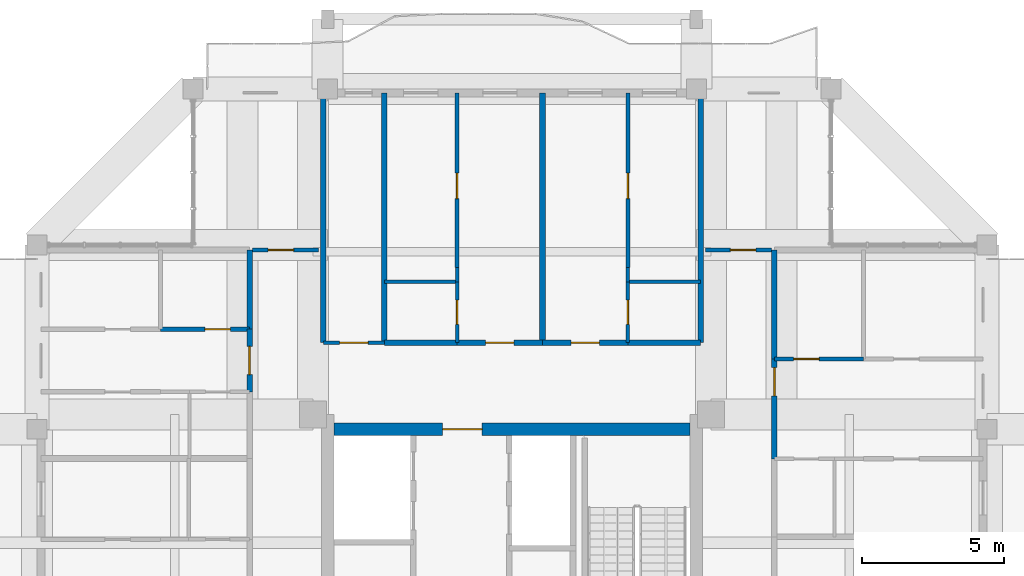
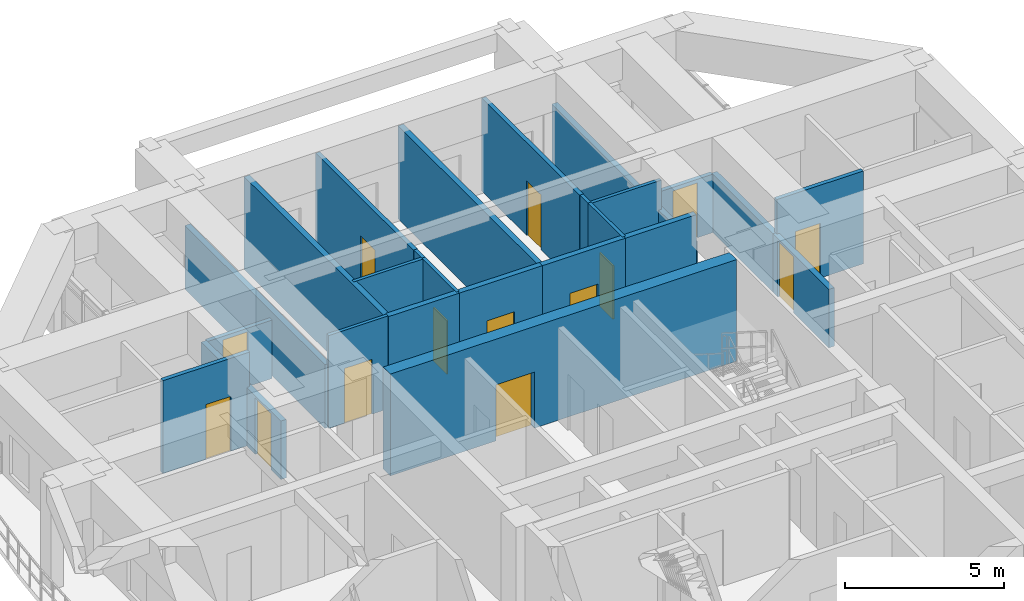
# One storey, part 20 of 27: 26 walls, 14 doors, 14 openings.
"""IFC4 building model written with IfcOpenShell, lengths in metres."""

from ifc_helpers import new_model, si_unit, direction, frame, frame_2d, origin, place, context, subcontext, project, spatial, rectangle, extrude, source, transform, mapped, material, layer, layer_set, type_object, element, fill, save


model = new_model("IFC4")

# Units and contexts
model_context = context("Model", 3, precision=1e-05, world=origin(), true_north=direction((0.0, 1.0)))
body_context = subcontext(model_context, "Body", "Model", "MODEL_VIEW")
ifc_project = project(units=[si_unit("LENGTHUNIT", "METRE"), si_unit("AREAUNIT", "SQUARE_METRE"), si_unit("VOLUMEUNIT", "CUBIC_METRE"), si_unit("PLANEANGLEUNIT", "RADIAN"), si_unit("MASSUNIT", "GRAM", prefix="KILO")], contexts=[model_context])

# Site, building, storey
site_placement = place(None, origin())
site = spatial("IfcSite", under=ifc_project, at=site_placement, CompositionType="ELEMENT")
building_placement = place(site_placement, origin())
building = spatial("IfcBuilding", under=site, at=building_placement, Name="Saelheon Loggia Tower", CompositionType="ELEMENT")
storey_placement = place(building_placement, frame((0.0, 0.0, 236.10009765625)))
storey = spatial("IfcBuildingStorey", under=building, at=storey_placement, Name="L73", CompositionType="ELEMENT", Elevation=236.10009765625)

# Wall, opening, door
ifc_material_1 = material(Name="Concrete C45/55", Category="concrete")
ifc_layer_1 = layer(ifc_material_1, 0.449951171875)
ifc_layer_set_1 = layer_set([ifc_layer_1], Name="Concrete C45/55")
wall_type_1 = type_object("IfcWallType", Name="Wall_CoreShear_450", PredefinedType="SHEAR", material=ifc_layer_set_1)
wall_1_placement = place(storey_placement, frame((31.72509765625, 36.0, 0.0), z_axis=(0.0, 0.0, 1.0), x_axis=(1.0, 0.0, 0.0)))
wall_1 = element("IfcWall", 1, at=wall_1_placement, inside=storey, type_object=wall_type_1, Name="L73 Core Shear Wall North", PredefinedType="SHEAR", context=body_context, shape_type="SweptSolid", body=[
    extrude(rectangle(XDim=12.5498046875, YDim=0.449951171875, at=frame_2d((6.27490234375, 0.0))), origin(), (0.0, 0.0, 1.0), 3.89990234375),
])
opening_1_placement = place(wall_1_placement, frame((5.224853515625, 0.0, 0.0), z_axis=(0.0, 0.0, 1.0), x_axis=(-1.0, 0.0, 0.0)))
opening_1 = element("IfcOpeningElement", 2, at=opening_1_placement, cuts=wall_1, Name="Opening D-FD2L", PredefinedType="OPENING", context=body_context, shape_type="SweptSolid", body=[
    extrude(rectangle(XDim=1.39990234375, YDim=2.14990234375, at=frame_2d((0.699951171875, 1.074951171875))), frame((0.0, 0.237060546875, 0.0), z_axis=(0.0, -1.0, 0.0), x_axis=(1.0, 0.0, 0.0)), (0.0, 0.0, 1.0), 0.473876953125),
])
ifc_material_2 = material(Name="Galvanised Steel Glazed Lobby Fire Door", Category="steel")
door_type_1 = type_object("IfcDoorType", Name="Door_Fire_FD60_1400", OperationType="NOTDEFINED", PredefinedType="DOOR", material=ifc_material_2)
shared_shape_1 = source(origin(), body_context, "Body", "SweptSolid", [
    extrude(rectangle(XDim=1.39990234375, YDim=2.14990234375, at=frame_2d((0.699951171875, 1.074951171875))), frame((0.0, 0.02490234375, 0.0), z_axis=(0.0, -1.0, 0.0), x_axis=(1.0, 0.0, 0.0)), (0.0, 0.0, 1.0), 0.050048828125),
])
door_1_placement = place(opening_1_placement, origin())
door_1 = element("IfcDoor", 3, at=door_1_placement, inside=storey, type_object=door_type_1, Name="L73 Passenger Lift Lobby Main Door", OperationType="SINGLE_SWING_RIGHT", OverallHeight=2.14990234375, OverallWidth=1.39990234375, PredefinedType="DOOR", context=body_context, shape_type="MappedRepresentation", body=[
    mapped(shared_shape_1, transform((0.0, 0.0, 0.0), scale=1.0)),
])
fill(opening_1, door_1)

ifc_material_3 = material(Name="Lightweight Autoclaved Aerated Concrete Block and Acoustic Gypsum", Category="concrete")
ifc_layer_2 = layer(ifc_material_3, 0.14990234375)
ifc_layer_set_2 = layer_set([ifc_layer_2], Name="Lightweight Autoclaved Aerated Concrete Block and Acoustic Gypsum")
wall_type_2 = type_object("IfcWallType", Name="Wall_Part_150", PredefinedType="PARTITIONING", material=ifc_layer_set_2)
wall_2_placement = place(storey_placement, frame((28.85009765625, 42.320068359375, 0.0), z_axis=(0.0, 0.0, 1.0), x_axis=(1.0, 0.0, 0.0)))
wall_2 = element("IfcWall", 4, at=wall_2_placement, inside=storey, type_object=wall_type_2, Name="PW-L73-CNW-H", PredefinedType="PARTITIONING", context=body_context, shape_type="SweptSolid", body=[
    extrude(rectangle(XDim=2.329833984375, YDim=0.14990234375, at=frame_2d((1.1650390625, 0.0))), origin(), (0.0, 0.0, 1.0), 2.239990234375),
])
opening_2_placement = place(wall_2_placement, frame((0.550048828125, 0.0, 0.0)))
opening_2 = element("IfcOpeningElement", 5, at=opening_2_placement, cuts=wall_2, Name="Opening D-IN2", PredefinedType="OPENING", context=body_context, shape_type="SweptSolid", body=[
    extrude(rectangle(XDim=0.89990234375, YDim=2.10009765625, at=frame_2d((0.449951171875, 1.050048828125))), frame((0.0, 0.0869140625, 0.0), z_axis=(0.0, -1.0, 0.0), x_axis=(1.0, 0.0, 0.0)), (0.0, 0.0, 1.0), 0.173828125),
])
ifc_material_4 = material(Name="Engineered Oak Flush Door", Category="timber")
door_type_2 = type_object("IfcDoorType", Name="Door_Int_900", OperationType="NOTDEFINED", PredefinedType="DOOR", material=ifc_material_4)
shared_shape_2 = source(origin(), body_context, "Body", "SweptSolid", [
    extrude(rectangle(XDim=0.89990234375, YDim=2.10009765625, at=frame_2d((0.449951171875, 1.050048828125))), frame((0.0, 0.02490234375, 0.0), z_axis=(0.0, -1.0, 0.0), x_axis=(1.0, 0.0, 0.0)), (0.0, 0.0, 1.0), 0.050048828125),
])
door_2_placement = place(opening_2_placement, origin())
door_2 = element("IfcDoor", 6, at=door_2_placement, inside=storey, type_object=door_type_2, Name="L73 Corner Home Office NW Door", OperationType="SINGLE_SWING_RIGHT", OverallHeight=2.10009765625, OverallWidth=0.89990234375, PredefinedType="DOOR", context=body_context, shape_type="MappedRepresentation", body=[
    mapped(shared_shape_2, transform((0.0, 0.0, 0.0), scale=1.0)),
])
fill(opening_2, door_2)

wall_3_placement = place(storey_placement, frame((44.820068359375, 42.320068359375, 0.0), z_axis=(0.0, 0.0, 1.0), x_axis=(1.0, 0.0, 0.0)))
wall_3 = element("IfcWall", 7, at=wall_3_placement, inside=storey, type_object=wall_type_2, Name="PW-L73-CNE-H", PredefinedType="PARTITIONING", context=body_context, shape_type="SweptSolid", body=[
    extrude(rectangle(XDim=2.329833984375, YDim=0.14990234375, at=frame_2d((1.1650390625, 0.0))), origin(), (0.0, 0.0, 1.0), 2.239990234375),
])
opening_3_placement = place(wall_3_placement, frame((0.8798828125, 0.0, 0.0)))
opening_3 = element("IfcOpeningElement", 8, at=opening_3_placement, cuts=wall_3, Name="Opening D-IN2", PredefinedType="OPENING", context=body_context, shape_type="SweptSolid", body=[
    extrude(rectangle(XDim=0.89990234375, YDim=2.10009765625, at=frame_2d((0.449951171875, 1.050048828125))), frame((0.0, 0.0869140625, 0.0), z_axis=(0.0, -1.0, 0.0), x_axis=(1.0, 0.0, 0.0)), (0.0, 0.0, 1.0), 0.173828125),
])
door_3_placement = place(opening_3_placement, origin())
door_3 = element("IfcDoor", 9, at=door_3_placement, inside=storey, type_object=door_type_2, Name="L73 Corner Reading Room NE Door", OperationType="SINGLE_SWING_RIGHT", OverallHeight=2.10009765625, OverallWidth=0.89990234375, PredefinedType="DOOR", context=body_context, shape_type="MappedRepresentation", body=[
    mapped(shared_shape_2, transform((0.0, 0.0, 0.0), scale=1.0)),
])
fill(opening_3, door_3)

wall_4_placement = place(storey_placement, frame((36.064453125, 41.7099609375, 0.0), z_axis=(0.0, 0.0, 1.0), x_axis=(0.0, 1.0, 0.0)))
wall_4 = element("IfcWall", 10, at=wall_4_placement, inside=storey, type_object=wall_type_2, Name="L73 N Partition U10", PredefinedType="PARTITIONING", context=body_context, shape_type="SweptSolid", body=[
    extrude(rectangle(XDim=6.14013671875, YDim=0.14990234375, at=frame_2d((3.070068359375, 0.0))), origin(), (0.0, 0.0, 1.0), 3.559814453125),
])
opening_4_placement = place(wall_4_placement, frame((2.421630859375, 0.0, 0.0)))
opening_4 = element("IfcOpeningElement", 11, at=opening_4_placement, cuts=wall_4, Name="Opening D-IN2", PredefinedType="OPENING", context=body_context, shape_type="SweptSolid", body=[
    extrude(rectangle(XDim=0.89990234375, YDim=2.10009765625, at=frame_2d((0.449951171875, 1.050048828125))), frame((0.0, 0.0869140625, 0.0), z_axis=(0.0, -1.0, 0.0), x_axis=(1.0, 0.0, 0.0)), (0.0, 0.0, 1.0), 0.173828125),
])
door_4_placement = place(opening_4_placement, origin())
door_4 = element("IfcDoor", 12, at=door_4_placement, inside=storey, type_object=door_type_2, Name="Unit U03 Kitchen Door", OperationType="SINGLE_SWING_RIGHT", OverallHeight=2.10009765625, OverallWidth=0.89990234375, PredefinedType="DOOR", context=body_context, shape_type="MappedRepresentation", body=[
    mapped(shared_shape_2, transform((0.0, 0.0, 0.0), scale=1.0)),
])
fill(opening_4, door_4)

wall_5_placement = place(storey_placement, frame((42.08544921875, 41.7099609375, 0.0), z_axis=(0.0, 0.0, 1.0), x_axis=(0.0, 1.0, 0.0)))
wall_5 = element("IfcWall", 13, at=wall_5_placement, inside=storey, type_object=wall_type_2, Name="L73 N Partition U17", PredefinedType="PARTITIONING", context=body_context, shape_type="SweptSolid", body=[
    extrude(rectangle(XDim=6.14013671875, YDim=0.14990234375, at=frame_2d((3.070068359375, 0.0))), origin(), (0.0, 0.0, 1.0), 3.559814453125),
])
opening_5_placement = place(wall_5_placement, frame((2.421630859375, 0.0, 0.0)))
opening_5 = element("IfcOpeningElement", 14, at=opening_5_placement, cuts=wall_5, Name="Opening D-IN2", PredefinedType="OPENING", context=body_context, shape_type="SweptSolid", body=[
    extrude(rectangle(XDim=0.89990234375, YDim=2.10009765625, at=frame_2d((0.449951171875, 1.050048828125))), frame((0.0, 0.0869140625, 0.0), z_axis=(0.0, -1.0, 0.0), x_axis=(1.0, 0.0, 0.0)), (0.0, 0.0, 1.0), 0.173828125),
])
door_5_placement = place(opening_5_placement, origin())
door_5 = element("IfcDoor", 15, at=door_5_placement, inside=storey, type_object=door_type_2, Name="Unit U04 Kitchen Door", OperationType="SINGLE_SWING_LEFT", OverallHeight=2.10009765625, OverallWidth=0.89990234375, PredefinedType="DOOR", context=body_context, shape_type="MappedRepresentation", body=[
    mapped(shared_shape_2, transform((0.0, 0.0, 0.0), scale=1.0)),
])
fill(opening_5, door_5)

wall_6_placement = place(storey_placement, frame((28.75, 39.525634765625, 0.0), z_axis=(0.0, 0.0, 1.0), x_axis=(-1.0, 0.0, 0.0)))
wall_6 = element("IfcWall", 16, at=wall_6_placement, inside=storey, type_object=wall_type_2, Name="L73 W Partition U40", PredefinedType="PARTITIONING", context=body_context, shape_type="SweptSolid", body=[
    extrude(rectangle(XDim=3.139892578125, YDim=0.14990234375, at=frame_2d((1.56982421875, 0.0))), origin(), (0.0, 0.0, 1.0), 3.559814453125),
])
opening_6_placement = place(wall_6_placement, frame((0.679931640625, 0.0, 0.0)))
opening_6 = element("IfcOpeningElement", 17, at=opening_6_placement, cuts=wall_6, Name="Opening D-IN2", PredefinedType="OPENING", context=body_context, shape_type="SweptSolid", body=[
    extrude(rectangle(XDim=0.89990234375, YDim=2.10009765625, at=frame_2d((0.449951171875, 1.050048828125))), frame((0.0, 0.0869140625, 0.0), z_axis=(0.0, -1.0, 0.0), x_axis=(1.0, 0.0, 0.0)), (0.0, 0.0, 1.0), 0.173828125),
])
door_6_placement = place(opening_6_placement, origin())
door_6 = element("IfcDoor", 18, at=door_6_placement, inside=storey, type_object=door_type_2, Name="Unit U08 Dressing Closet Door", OperationType="SINGLE_SWING_RIGHT", OverallHeight=2.10009765625, OverallWidth=0.89990234375, PredefinedType="DOOR", context=body_context, shape_type="MappedRepresentation", body=[
    mapped(shared_shape_2, transform((0.0, 0.0, 0.0), scale=1.0)),
])
fill(opening_6, door_6)

wall_7_placement = place(storey_placement, frame((47.25, 38.477783203125, 0.0), z_axis=(0.0, 0.0, 1.0), x_axis=(1.0, 0.0, 0.0)))
wall_7 = element("IfcWall", 19, at=wall_7_placement, inside=storey, type_object=wall_type_2, Name="L73 E Partition U33", PredefinedType="PARTITIONING", context=body_context, shape_type="SweptSolid", body=[
    extrude(rectangle(XDim=3.139892578125, YDim=0.14990234375, at=frame_2d((1.56982421875, 0.0))), origin(), (0.0, 0.0, 1.0), 3.559814453125),
])
opening_7_placement = place(wall_7_placement, frame((0.679931640625, 0.0, 0.0)))
opening_7 = element("IfcOpeningElement", 20, at=opening_7_placement, cuts=wall_7, Name="Opening D-IN2", PredefinedType="OPENING", context=body_context, shape_type="SweptSolid", body=[
    extrude(rectangle(XDim=0.89990234375, YDim=2.10009765625, at=frame_2d((0.449951171875, 1.050048828125))), frame((0.0, 0.0869140625, 0.0), z_axis=(0.0, -1.0, 0.0), x_axis=(1.0, 0.0, 0.0)), (0.0, 0.0, 1.0), 0.173828125),
])
door_7_placement = place(opening_7_placement, origin())
door_7 = element("IfcDoor", 21, at=door_7_placement, inside=storey, type_object=door_type_2, Name="Unit U11 Private Study Door", OperationType="SINGLE_SWING_LEFT", OverallHeight=2.10009765625, OverallWidth=0.89990234375, PredefinedType="DOOR", context=body_context, shape_type="MappedRepresentation", body=[
    mapped(shared_shape_2, transform((0.0, 0.0, 0.0), scale=1.0)),
])
fill(opening_7, door_7)

# Walls
ifc_material_5 = material(Name="Double Acoustic Stud and Fireboard Partition", Category="gypsum")
ifc_layer_3 = layer(ifc_material_5, 0.199951171875)
ifc_layer_set_3 = layer_set([ifc_layer_3], Name="Double Acoustic Stud and Fireboard Partition")
wall_type_3 = type_object("IfcWallType", Name="Wall_Party_200", PredefinedType="PARTITIONING", material=ifc_layer_set_3)
for number, where, z_axis, x_axis, name in (
    (22, (31.35009765625, 39.050048828125, 0.0), (0.0, 0.0, 1.0), (0.0, 1.0, 0.0), "L73 N Partition U01"),
    (23, (44.64990234375, 39.050048828125, 0.0), (0.0, 0.0, 1.0), (0.0, 1.0, 0.0), "L73 N Partition U02"),
):
    element("IfcWall", number, at=place(storey_placement, frame(where, z_axis=z_axis, x_axis=x_axis)), inside=storey, type_object=wall_type_3, Name=name, PredefinedType="PARTITIONING", context=body_context, shape_type="SweptSolid", body=[
        extrude(rectangle(XDim=8.800048828125, YDim=0.199951171875, at=frame_2d((4.39990234375, 0.0))), origin(), (0.0, 0.0, 1.0), 2.43994140625),
    ])
wall_8_placement = place(storey_placement, frame((33.5, 39.050048828125, 0.0), z_axis=(0.0, 0.0, 1.0), x_axis=(0.0, 1.0, 0.0)))
element("IfcWall", 24, at=wall_8_placement, inside=storey, type_object=wall_type_3, Name="L73 N Partition U03", PredefinedType="PARTITIONING", context=body_context, shape_type="SweptSolid", body=[
    extrude(rectangle(XDim=8.800048828125, YDim=0.199951171875, at=frame_2d((4.39990234375, 0.0))), origin(), (0.0, 0.0, 1.0), 3.559814453125),
])
wall_9_placement = place(storey_placement, frame((33.5, 39.050048828125, 0.0), z_axis=(0.0, 0.0, 1.0), x_axis=(1.0, 0.0, 0.0)))
element("IfcWall", 25, at=wall_9_placement, inside=storey, type_object=wall_type_3, Name="L73 N Partition V05", PredefinedType="PARTITIONING", context=body_context, shape_type="SweptSolid", body=[
    extrude(rectangle(XDim=2.564453125, YDim=0.199951171875, at=frame_2d((1.2822265625, 0.0))), origin(), (0.0, 0.0, 1.0), 3.559814453125),
])

# Wall, opening, door
wall_10_placement = place(storey_placement, frame((36.064453125, 39.050048828125, 0.0), z_axis=(0.0, 0.0, 1.0), x_axis=(1.0, 0.0, 0.0)))
wall_10 = element("IfcWall", 26, at=wall_10_placement, inside=storey, type_object=wall_type_3, Name="L73 N Partition V06", PredefinedType="PARTITIONING", context=body_context, shape_type="SweptSolid", body=[
    extrude(rectangle(XDim=3.010498046875, YDim=0.199951171875, at=frame_2d((1.50537109375, 0.0))), origin(), (0.0, 0.0, 1.0), 3.559814453125),
])
opening_8_placement = place(wall_10_placement, frame((1.00537109375, 0.0, 0.0)))
opening_8 = element("IfcOpeningElement", 27, at=opening_8_placement, cuts=wall_10, Name="Opening D-FD1", PredefinedType="OPENING", context=body_context, shape_type="SweptSolid", body=[
    extrude(rectangle(XDim=1.0, YDim=2.14990234375, at=frame_2d((0.5, 1.074951171875))), frame((0.0, 0.112060546875, 0.0), z_axis=(0.0, -1.0, 0.0), x_axis=(1.0, 0.0, 0.0)), (0.0, 0.0, 1.0), 0.223876953125),
])
ifc_material_6 = material(Name="Fire-Rated Engineered Timber Entrance Door", Category="wood")
door_type_3 = type_object("IfcDoorType", Name="Door_Flat_FD30S", OperationType="NOTDEFINED", PredefinedType="DOOR", material=ifc_material_6)
shared_shape_3 = source(origin(), body_context, "Body", "SweptSolid", [
    extrude(rectangle(XDim=1.0, YDim=2.14990234375, at=frame_2d((0.5, 1.074951171875))), frame((0.0, 0.02490234375, 0.0), z_axis=(0.0, -1.0, 0.0), x_axis=(1.0, 0.0, 0.0)), (0.0, 0.0, 1.0), 0.050048828125),
])
door_8_placement = place(opening_8_placement, origin())
door_8 = element("IfcDoor", 28, at=door_8_placement, inside=storey, type_object=door_type_3, Name="Unit U03 Entrance Door", OperationType="SINGLE_SWING_RIGHT", OverallHeight=2.14990234375, OverallWidth=1.0, PredefinedType="DOOR", context=body_context, shape_type="MappedRepresentation", body=[
    mapped(shared_shape_3, transform((0.0, 0.0, 0.0), scale=1.0)),
])
fill(opening_8, door_8)

# Wall
wall_11_placement = place(storey_placement, frame((39.074951171875, 39.050048828125, 0.0), z_axis=(0.0, 0.0, 1.0), x_axis=(0.0, 1.0, 0.0)))
element("IfcWall", 29, at=wall_11_placement, inside=storey, type_object=wall_type_3, Name="L73 N Partition U11", PredefinedType="PARTITIONING", context=body_context, shape_type="SweptSolid", body=[
    extrude(rectangle(XDim=8.800048828125, YDim=0.199951171875, at=frame_2d((4.39990234375, 0.0))), origin(), (0.0, 0.0, 1.0), 3.559814453125),
])

# Wall, opening, door
wall_12_placement = place(storey_placement, frame((39.074951171875, 39.050048828125, 0.0), z_axis=(0.0, 0.0, 1.0), x_axis=(1.0, 0.0, 0.0)))
wall_12 = element("IfcWall", 30, at=wall_12_placement, inside=storey, type_object=wall_type_3, Name="L73 N Partition V12", PredefinedType="PARTITIONING", context=body_context, shape_type="SweptSolid", body=[
    extrude(rectangle(XDim=3.010498046875, YDim=0.199951171875, at=frame_2d((1.50537109375, 0.0))), origin(), (0.0, 0.0, 1.0), 3.559814453125),
])
opening_9_placement = place(wall_12_placement, frame((1.00537109375, 0.0, 0.0)))
opening_9 = element("IfcOpeningElement", 31, at=opening_9_placement, cuts=wall_12, Name="Opening D-FD1", PredefinedType="OPENING", context=body_context, shape_type="SweptSolid", body=[
    extrude(rectangle(XDim=1.0, YDim=2.14990234375, at=frame_2d((0.5, 1.074951171875))), frame((0.0, 0.112060546875, 0.0), z_axis=(0.0, -1.0, 0.0), x_axis=(1.0, 0.0, 0.0)), (0.0, 0.0, 1.0), 0.223876953125),
])
door_9_placement = place(opening_9_placement, origin())
door_9 = element("IfcDoor", 32, at=door_9_placement, inside=storey, type_object=door_type_3, Name="Unit U04 Entrance Door", OperationType="SINGLE_SWING_LEFT", OverallHeight=2.14990234375, OverallWidth=1.0, PredefinedType="DOOR", context=body_context, shape_type="MappedRepresentation", body=[
    mapped(shared_shape_3, transform((0.0, 0.0, 0.0), scale=1.0)),
])
fill(opening_9, door_9)

# Wall
wall_13_placement = place(storey_placement, frame((42.08544921875, 39.050048828125, 0.0), z_axis=(0.0, 0.0, 1.0), x_axis=(1.0, 0.0, 0.0)))
element("IfcWall", 33, at=wall_13_placement, inside=storey, type_object=wall_type_3, Name="L73 N Partition V13", PredefinedType="PARTITIONING", context=body_context, shape_type="SweptSolid", body=[
    extrude(rectangle(XDim=2.564453125, YDim=0.199951171875, at=frame_2d((1.2822265625, 0.0))), origin(), (0.0, 0.0, 1.0), 3.559814453125),
])

# Wall, opening, door
wall_14_placement = place(storey_placement, frame((28.75, 37.320068359375, 0.0), z_axis=(0.0, 0.0, 1.0), x_axis=(0.0, 1.0, 0.0)))
wall_14 = element("IfcWall", 34, at=wall_14_placement, inside=storey, type_object=wall_type_3, Name="L73 W Partition V33", PredefinedType="PARTITIONING", context=body_context, shape_type="SweptSolid", body=[
    extrude(rectangle(XDim=2.20556640625, YDim=0.199951171875, at=frame_2d((1.102783203125, 0.0))), origin(), (0.0, 0.0, 1.0), 2.239990234375),
])
opening_10_placement = place(wall_14_placement, frame((0.602783203125, 0.0, 0.0)))
opening_10 = element("IfcOpeningElement", 35, at=opening_10_placement, cuts=wall_14, Name="Opening D-FD1", PredefinedType="OPENING", context=body_context, shape_type="SweptSolid", body=[
    extrude(rectangle(XDim=1.0, YDim=2.14990234375, at=frame_2d((0.5, 1.074951171875))), frame((0.0, 0.112060546875, 0.0), z_axis=(0.0, -1.0, 0.0), x_axis=(1.0, 0.0, 0.0)), (0.0, 0.0, 1.0), 0.223876953125),
])
door_10_placement = place(opening_10_placement, origin())
door_10 = element("IfcDoor", 36, at=door_10_placement, inside=storey, type_object=door_type_3, Name="Unit U08 Entrance Door", OperationType="SINGLE_SWING_LEFT", OverallHeight=2.14990234375, OverallWidth=1.0, PredefinedType="DOOR", context=body_context, shape_type="MappedRepresentation", body=[
    mapped(shared_shape_3, transform((0.0, 0.0, 0.0), scale=1.0)),
])
fill(opening_10, door_10)

# Wall
wall_15_placement = place(storey_placement, frame((28.75, 39.525634765625, 0.0), z_axis=(0.0, 0.0, 1.0), x_axis=(0.0, 1.0, 0.0)))
element("IfcWall", 37, at=wall_15_placement, inside=storey, type_object=wall_type_3, Name="L73 W Partition V34", PredefinedType="PARTITIONING", context=body_context, shape_type="SweptSolid", body=[
    extrude(rectangle(XDim=2.79443359375, YDim=0.199951171875, at=frame_2d((1.397216796875, 0.0))), origin(), (0.0, 0.0, 1.0), 2.239990234375),
])

# Wall, opening, door
wall_16_placement = place(storey_placement, frame((47.25, 34.958740234375, 0.0), z_axis=(0.0, 0.0, 1.0), x_axis=(0.0, 1.0, 0.0)))
wall_16 = element("IfcWall", 38, at=wall_16_placement, inside=storey, type_object=wall_type_3, Name="L73 E Partition V26", PredefinedType="PARTITIONING", context=body_context, shape_type="SweptSolid", body=[
    extrude(rectangle(XDim=3.51904296875, YDim=0.199951171875, at=frame_2d((1.759521484375, 0.0))), origin(), (0.0, 0.0, 1.0), 2.239990234375),
])
opening_11_placement = place(wall_16_placement, frame((2.21728515625, 0.0, 0.0)))
opening_11 = element("IfcOpeningElement", 39, at=opening_11_placement, cuts=wall_16, Name="Opening D-FD1", PredefinedType="OPENING", context=body_context, shape_type="SweptSolid", body=[
    extrude(rectangle(XDim=1.0, YDim=2.14990234375, at=frame_2d((0.5, 1.074951171875))), frame((0.0, 0.112060546875, 0.0), z_axis=(0.0, -1.0, 0.0), x_axis=(1.0, 0.0, 0.0)), (0.0, 0.0, 1.0), 0.223876953125),
])
door_11_placement = place(opening_11_placement, origin())
door_11 = element("IfcDoor", 40, at=door_11_placement, inside=storey, type_object=door_type_3, Name="Unit U11 Entrance Door", OperationType="SINGLE_SWING_RIGHT", OverallHeight=2.14990234375, OverallWidth=1.0, PredefinedType="DOOR", context=body_context, shape_type="MappedRepresentation", body=[
    mapped(shared_shape_3, transform((0.0, 0.0, 0.0), scale=1.0)),
])
fill(opening_11, door_11)

# Wall
wall_17_placement = place(storey_placement, frame((47.25, 38.477783203125, 0.0), z_axis=(0.0, 0.0, 1.0), x_axis=(0.0, 1.0, 0.0)))
element("IfcWall", 41, at=wall_17_placement, inside=storey, type_object=wall_type_3, Name="L73 E Partition V27", PredefinedType="PARTITIONING", context=body_context, shape_type="SweptSolid", body=[
    extrude(rectangle(XDim=3.84228515625, YDim=0.199951171875, at=frame_2d((1.921142578125, 0.0))), origin(), (0.0, 0.0, 1.0), 2.239990234375),
])

# Wall, opening, door
ifc_material_7 = material(Name="Moisture-Resistant Cement Board Partition", Category="gypsum")
ifc_layer_4 = layer(ifc_material_7, 0.1201171875)
ifc_layer_set_4 = layer_set([ifc_layer_4], Name="Moisture-Resistant Cement Board Partition")
wall_type_4 = type_object("IfcWallType", Name="Wall_WetPart_120", PredefinedType="PARTITIONING", material=ifc_layer_set_4)
wall_18_placement = place(storey_placement, frame((31.35009765625, 39.050048828125, 0.0), z_axis=(0.0, 0.0, 1.0), x_axis=(1.0, 0.0, 0.0)))
wall_18 = element("IfcWall", 42, at=wall_18_placement, inside=storey, type_object=wall_type_4, Name="L73 N Partition V04", PredefinedType="PARTITIONING", context=body_context, shape_type="SweptSolid", body=[
    extrude(rectangle(XDim=2.14990234375, YDim=0.1201171875, at=frame_2d((1.074951171875, 0.0))), origin(), (0.0, 0.0, 1.0), 3.559814453125),
])
opening_12_placement = place(wall_18_placement, frame((0.574951171875, 0.0, 0.0)))
opening_12 = element("IfcOpeningElement", 43, at=opening_12_placement, cuts=wall_18, Name="Opening D-AC1", PredefinedType="OPENING", context=body_context, shape_type="SweptSolid", body=[
    extrude(rectangle(XDim=1.0, YDim=2.10009765625, at=frame_2d((0.5, 1.050048828125))), frame((0.0, 0.072021484375, 0.0), z_axis=(0.0, -1.0, 0.0), x_axis=(1.0, 0.0, 0.0)), (0.0, 0.0, 1.0), 0.14404296875),
])
ifc_material_8 = material(Name="Accessible Laminate Flush Door", Category="timber")
door_type_4 = type_object("IfcDoorType", Name="Door_Acc_1000", OperationType="NOTDEFINED", PredefinedType="DOOR", material=ifc_material_8)
shared_shape_4 = source(origin(), body_context, "Body", "SweptSolid", [
    extrude(rectangle(XDim=1.0, YDim=2.10009765625, at=frame_2d((0.5, 1.050048828125))), frame((0.0, 0.02490234375, 0.0), z_axis=(0.0, -1.0, 0.0), x_axis=(1.0, 0.0, 0.0)), (0.0, 0.0, 1.0), 0.050048828125),
])
door_12_placement = place(opening_12_placement, origin())
door_12 = element("IfcDoor", 44, at=door_12_placement, inside=storey, type_object=door_type_4, Name="L73 Floor Accessible WC Door", OperationType="SINGLE_SWING_LEFT", OverallHeight=2.10009765625, OverallWidth=1.0, PredefinedType="DOOR", context=body_context, shape_type="MappedRepresentation", body=[
    mapped(shared_shape_4, transform((0.0, 0.0, 0.0), scale=1.0)),
])
fill(opening_12, door_12)

wall_19_placement = place(storey_placement, frame((36.064453125, 39.050048828125, 0.0), z_axis=(0.0, 0.0, 1.0), x_axis=(0.0, 1.0, 0.0)))
wall_19 = element("IfcWall", 45, at=wall_19_placement, inside=storey, type_object=wall_type_4, Name="L73 N Partition U07", PredefinedType="PARTITIONING", context=body_context, shape_type="SweptSolid", body=[
    extrude(rectangle(XDim=2.14990234375, YDim=0.1201171875, at=frame_2d((1.074951171875, 0.0))), origin(), (0.0, 0.0, 1.0), 3.559814453125),
])
opening_13_placement = place(wall_19_placement, frame((0.64990234375, 0.0, 0.0)))
opening_13 = element("IfcOpeningElement", 46, at=opening_13_placement, cuts=wall_19, Name="Opening D-BT1", PredefinedType="OPENING", context=body_context, shape_type="SweptSolid", body=[
    extrude(rectangle(XDim=0.85009765625, YDim=2.050048828125, at=frame_2d((0.425048828125, 1.02490234375))), frame((0.0, 0.072021484375, 0.0), z_axis=(0.0, -1.0, 0.0), x_axis=(1.0, 0.0, 0.0)), (0.0, 0.0, 1.0), 0.14404296875),
])
ifc_material_9 = material(Name="Moisture-Resistant Laminate Timber Door", Category="wood")
door_type_5 = type_object("IfcDoorType", Name="Door_Bath_850", OperationType="NOTDEFINED", PredefinedType="DOOR", material=ifc_material_9)
shared_shape_5 = source(origin(), body_context, "Body", "SweptSolid", [
    extrude(rectangle(XDim=0.85009765625, YDim=2.050048828125, at=frame_2d((0.425048828125, 1.02490234375))), frame((0.0, 0.02490234375, 0.0), z_axis=(0.0, -1.0, 0.0), x_axis=(1.0, 0.0, 0.0)), (0.0, 0.0, 1.0), 0.050048828125),
])
door_13_placement = place(opening_13_placement, origin())
door_13 = element("IfcDoor", 47, at=door_13_placement, inside=storey, type_object=door_type_5, Name="Unit U03 Bathroom Door", OperationType="SINGLE_SWING_LEFT", OverallHeight=2.050048828125, OverallWidth=0.85009765625, PredefinedType="DOOR", context=body_context, shape_type="MappedRepresentation", body=[
    mapped(shared_shape_5, transform((0.0, 0.0, 0.0), scale=1.0)),
])
fill(opening_13, door_13)

# Walls
wall_20_placement = place(storey_placement, frame((36.064453125, 41.199951171875, 0.0), z_axis=(0.0, 0.0, 1.0), x_axis=(0.0, 1.0, 0.0)))
element("IfcWall", 48, at=wall_20_placement, inside=storey, type_object=wall_type_4, Name="L73 N Partition U08", PredefinedType="PARTITIONING", context=body_context, shape_type="SweptSolid", body=[
    extrude(rectangle(XDim=0.510009765625, YDim=0.1201171875, at=frame_2d((0.2548828125, 0.0))), origin(), (0.0, 0.0, 1.0), 3.559814453125),
])
wall_21_placement = place(storey_placement, frame((33.5, 41.199951171875, 0.0), z_axis=(0.0, 0.0, 1.0), x_axis=(1.0, 0.0, 0.0)))
element("IfcWall", 49, at=wall_21_placement, inside=storey, type_object=wall_type_4, Name="L73 N Partition V09", PredefinedType="PARTITIONING", context=body_context, shape_type="SweptSolid", body=[
    extrude(rectangle(XDim=2.564453125, YDim=0.1201171875, at=frame_2d((1.2822265625, 0.0))), origin(), (0.0, 0.0, 1.0), 3.559814453125),
])

# Wall, opening, door
wall_22_placement = place(storey_placement, frame((42.08544921875, 39.050048828125, 0.0), z_axis=(0.0, 0.0, 1.0), x_axis=(0.0, 1.0, 0.0)))
wall_22 = element("IfcWall", 50, at=wall_22_placement, inside=storey, type_object=wall_type_4, Name="L73 N Partition U14", PredefinedType="PARTITIONING", context=body_context, shape_type="SweptSolid", body=[
    extrude(rectangle(XDim=2.14990234375, YDim=0.1201171875, at=frame_2d((1.074951171875, 0.0))), origin(), (0.0, 0.0, 1.0), 3.559814453125),
])
opening_14_placement = place(wall_22_placement, frame((0.64990234375, 0.0, 0.0)))
opening_14 = element("IfcOpeningElement", 51, at=opening_14_placement, cuts=wall_22, Name="Opening D-BT1", PredefinedType="OPENING", context=body_context, shape_type="SweptSolid", body=[
    extrude(rectangle(XDim=0.85009765625, YDim=2.050048828125, at=frame_2d((0.425048828125, 1.02490234375))), frame((0.0, 0.072021484375, 0.0), z_axis=(0.0, -1.0, 0.0), x_axis=(1.0, 0.0, 0.0)), (0.0, 0.0, 1.0), 0.14404296875),
])
door_14_placement = place(opening_14_placement, origin())
door_14 = element("IfcDoor", 52, at=door_14_placement, inside=storey, type_object=door_type_5, Name="Unit U04 Bathroom Door", OperationType="SINGLE_SWING_RIGHT", OverallHeight=2.050048828125, OverallWidth=0.85009765625, PredefinedType="DOOR", context=body_context, shape_type="MappedRepresentation", body=[
    mapped(shared_shape_5, transform((0.0, 0.0, 0.0), scale=1.0)),
])
fill(opening_14, door_14)

# Walls
wall_23_placement = place(storey_placement, frame((42.08544921875, 41.199951171875, 0.0), z_axis=(0.0, 0.0, 1.0), x_axis=(0.0, 1.0, 0.0)))
element("IfcWall", 53, at=wall_23_placement, inside=storey, type_object=wall_type_4, Name="L73 N Partition U15", PredefinedType="PARTITIONING", context=body_context, shape_type="SweptSolid", body=[
    extrude(rectangle(XDim=0.510009765625, YDim=0.1201171875, at=frame_2d((0.2548828125, 0.0))), origin(), (0.0, 0.0, 1.0), 3.559814453125),
])
wall_24_placement = place(storey_placement, frame((42.08544921875, 41.199951171875, 0.0), z_axis=(0.0, 0.0, 1.0), x_axis=(1.0, 0.0, 0.0)))
element("IfcWall", 54, at=wall_24_placement, inside=storey, type_object=wall_type_4, Name="L73 N Partition V16", PredefinedType="PARTITIONING", context=body_context, shape_type="SweptSolid", body=[
    extrude(rectangle(XDim=2.564453125, YDim=0.1201171875, at=frame_2d((1.2822265625, 0.0))), origin(), (0.0, 0.0, 1.0), 3.559814453125),
])

save(model, "model.ifc")
